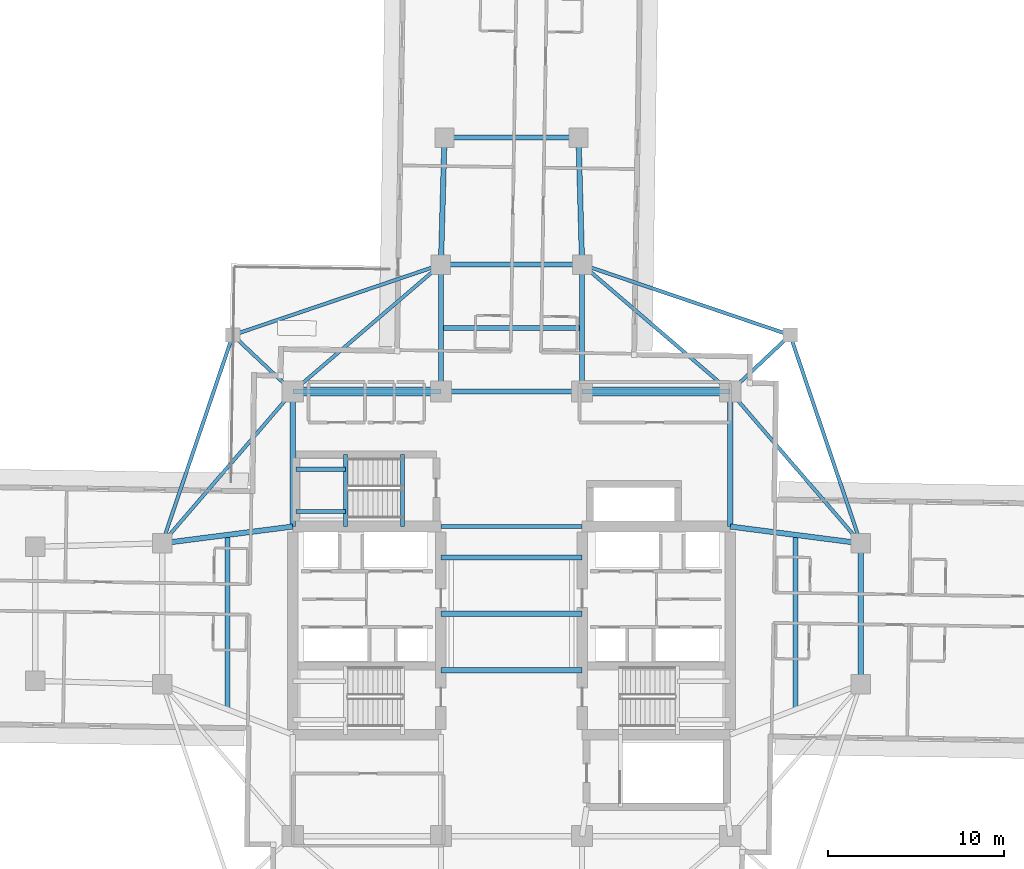
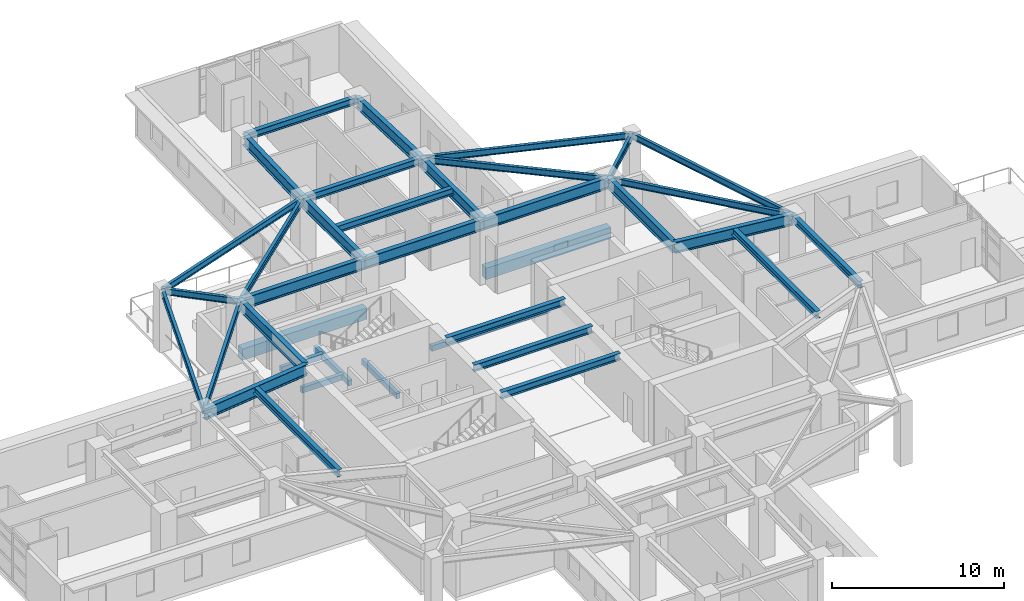
# One storey, part 7 of 22: 37 beams.
"""IFC4 building model written with IfcOpenShell, lengths in metres."""

from ifc_helpers import new_model, si_unit, direction, frame, origin, origin_2d, place, context, subcontext, project, spatial, rectangle, i_section, extrude, material, material_profile, profile_set, type_object, element, save


model = new_model("IFC4")

# Units and contexts
model_context = context("Model", 3, precision=1e-05, world=origin(), true_north=direction((0.0, 1.0)))
body_context = subcontext(model_context, "Body", "Model", "MODEL_VIEW")
ifc_project = project(units=[si_unit("LENGTHUNIT", "METRE"), si_unit("AREAUNIT", "SQUARE_METRE"), si_unit("VOLUMEUNIT", "CUBIC_METRE"), si_unit("PLANEANGLEUNIT", "RADIAN"), si_unit("MASSUNIT", "GRAM", prefix="KILO")], contexts=[model_context])

# Site, building, storey
site_placement = place(None, origin())
site = spatial("IfcSite", under=ifc_project, at=site_placement, CompositionType="ELEMENT")
building_placement = place(site_placement, origin())
building = spatial("IfcBuilding", under=site, at=building_placement, Name="Qingluan Cross Belvedere", CompositionType="ELEMENT")
storey_placement = place(building_placement, frame((0.0, 0.0, 100.199951171875)))
storey = spatial("IfcBuildingStorey", under=building, at=storey_placement, Name="L25", CompositionType="ELEMENT", Elevation=100.199951171875)

# Beams
ifc_material_1 = material(Name="Concrete C45", Category="concrete")
ifc_material_profile_1 = material_profile(ifc_material_1, rectangle(XDim=0.25, YDim=0.39990234375, at=origin_2d()), Name="RC250x400")
ifc_profile_set_1 = profile_set([ifc_material_profile_1], Name="Concrete C45")
beam_type_1 = type_object("IfcBeamType", Name="RC_Lintel_RC250x400", PredefinedType="LINTEL", material=ifc_profile_set_1)
for number, where, z_axis, x_axis, name in (
    (1, (-6.179931640625, 4.949951171875, -0.199951171875), (0.0, 1.0, 0.0), (-1.0, 0.0, 0.0), "Stair ST3 landing beam L25"),
    (2, (-9.409912109375, 4.949951171875, 1.85009765625), (0.0, 1.0, 0.0), (-1.0, 0.0, 0.0), "Stair ST3 beam A L25"),
):
    element("IfcBeam", number, at=place(storey_placement, frame(where, z_axis=z_axis, x_axis=x_axis)), inside=storey, type_object=beam_type_1, Name=name, PredefinedType="LINTEL", context=body_context, shape_type="SweptSolid", body=[
        extrude(rectangle(XDim=0.25, YDim=0.39990234375, at=origin_2d()), origin(), (0.0, 0.0, 1.0), 4.090087890625),
    ])
for number, where, z_axis, x_axis, name in (
    (3, (-12.219970703125, 5.800048828125, 1.85009765625), (1.0, 0.0, 0.0), (0.0, 1.0, 0.0), "Stair ST3 beam B L25"),
    (4, (-12.219970703125, 8.18994140625, 1.85009765625), (1.0, 0.0, 0.0), (0.0, 1.0, 0.0), "Stair ST3 beam C L25"),
):
    element("IfcBeam", number, at=place(storey_placement, frame(where, z_axis=z_axis, x_axis=x_axis)), inside=storey, type_object=beam_type_1, Name=name, PredefinedType="LINTEL", context=body_context, shape_type="SweptSolid", body=[
        extrude(rectangle(XDim=0.25, YDim=0.39990234375, at=origin_2d()), origin(), (0.0, 0.0, 1.0), 2.81005859375),
    ])
beam_1_placement = place(storey_placement, frame((-4.0, 4.949951171875, 2.449951171875), z_axis=(1.0, 0.0, 0.0), x_axis=(0.0, 1.0, 0.0)))
element("IfcBeam", 5, at=beam_1_placement, inside=storey, type_object=beam_type_1, Name="Core coupling lintel beam L25", PredefinedType="LINTEL", context=body_context, shape_type="SweptSolid", body=[
    extrude(rectangle(XDim=0.25, YDim=0.39990234375, at=origin_2d()), origin(), (0.0, 0.0, 1.0), 8.0),
])
ifc_material_2 = material(Name="Concrete C45", Category="concrete")
ifc_material_profile_2 = material_profile(ifc_material_2, rectangle(XDim=0.5, YDim=0.800048828125, at=origin_2d()), Name="RC500x800")
ifc_profile_set_2 = profile_set([ifc_material_profile_2], Name="Concrete C45")
beam_type_2 = type_object("IfcBeamType", Name="RC_Spandrel_RC500x800", PredefinedType="SPANDREL", material=ifc_profile_set_2)
for number, where, z_axis, x_axis, name in (
    (6, (-12.39990234375, 12.60009765625, 0.400146484375), (1.0, 0.0, 0.0), (0.0, 1.0, 0.0), "Perimeter RC spandrel beam L25-NW"),
    (7, (4.0, 12.60009765625, 0.400146484375), (1.0, 0.0, 0.0), (0.0, 1.0, 0.0), "Perimeter RC spandrel beam L25-NE"),
):
    element("IfcBeam", number, at=place(storey_placement, frame(where, z_axis=z_axis, x_axis=x_axis)), inside=storey, type_object=beam_type_2, Name=name, PredefinedType="SPANDREL", context=body_context, shape_type="SweptSolid", body=[
        extrude(rectangle(XDim=0.5, YDim=0.800048828125, at=origin_2d()), origin(), (0.0, 0.0, 1.0), 8.39990234375),
    ])
ifc_material_3 = material(Name="Steel Q420GJB", Category="steel")
ifc_material_profile_3 = material_profile(ifc_material_3, i_section(OverallWidth=0.300048828125, OverallDepth=0.488037109375, WebThickness=0.010986328125, FlangeThickness=0.01806640625, FilletRadius=0.02197265625, at=origin_2d()), Name="HM488x300x11x18")
ifc_profile_set_3 = profile_set([ifc_material_profile_3], Name="Steel Q420GJB")
beam_type_3 = type_object("IfcBeamType", Name="Steel_Beam_HM488x300x11x18", PredefinedType="BEAM", material=ifc_profile_set_3)
for number, where, z_axis, x_axis, name in (
    (8, (-4.0, -3.199951171875, 4.05615234375), (1.0, 0.0, 0.0), (0.0, 1.0, 0.0), "Hall beam L25-CH1"),
    (9, (-4.0, 0.0, 4.05615234375), (1.0, 0.0, 0.0), (0.0, 1.0, 0.0), "Hall beam L25-CH2"),
    (10, (-4.0, 3.199951171875, 4.05615234375), (1.0, 0.0, 0.0), (0.0, 1.0, 0.0), "Hall beam L25-CH3"),
    (11, (19.800048828125, -4.0, 4.05615234375), (0.0, 1.0, 0.0), (-1.0, 0.0, 0.0), "Arm E tie L25"),
):
    element("IfcBeam", number, at=place(storey_placement, frame(where, z_axis=z_axis, x_axis=x_axis)), inside=storey, type_object=beam_type_3, Name=name, PredefinedType="BEAM", context=body_context, shape_type="SweptSolid", body=[
        extrude(i_section(OverallWidth=0.300048828125, OverallDepth=0.488037109375, WebThickness=0.010986328125, FlangeThickness=0.01806640625, FilletRadius=0.02197265625, at=origin_2d()), origin(), (0.0, 0.0, 1.0), 8.0),
    ])
for number, where, z_axis, x_axis, name in (
    (12, (16.10009765625, -5.425048828125, 4.05615234375), (0.0, 1.0, 0.0), (-1.0, 0.0, 0.0), "Arm E beam L25"),
    (13, (-16.10009765625, -5.425048828125, 4.05615234375), (0.0, 1.0, 0.0), (-1.0, 0.0, 0.0), "Arm W beam L25"),
):
    element("IfcBeam", number, at=place(storey_placement, frame(where, z_axis=z_axis, x_axis=x_axis)), inside=storey, type_object=beam_type_3, Name=name, PredefinedType="BEAM", context=body_context, shape_type="SweptSolid", body=[
        extrude(i_section(OverallWidth=0.300048828125, OverallDepth=0.488037109375, WebThickness=0.010986328125, FlangeThickness=0.01806640625, FilletRadius=0.02197265625, at=origin_2d()), origin(), (0.0, 0.0, 1.0), 9.900146484375),
    ])
for number, where, z_axis, x_axis, name in (
    (14, (-4.0, 19.800048828125, 4.05615234375), (1.0, 0.0, 0.0), (0.0, 1.0, 0.0), "Arm N tie L25"),
    (15, (-4.0, 16.199951171875, 4.05615234375), (1.0, 0.0, 0.0), (0.0, 1.0, 0.0), "Arm N beam L25"),
):
    element("IfcBeam", number, at=place(storey_placement, frame(where, z_axis=z_axis, x_axis=x_axis)), inside=storey, type_object=beam_type_3, Name=name, PredefinedType="BEAM", context=body_context, shape_type="SweptSolid", body=[
        extrude(i_section(OverallWidth=0.300048828125, OverallDepth=0.488037109375, WebThickness=0.010986328125, FlangeThickness=0.01806640625, FilletRadius=0.02197265625, at=origin_2d()), origin(), (0.0, 0.0, 1.0), 8.0),
    ])
beam_2_placement = place(storey_placement, frame((-3.800048828125, 27.0, 4.05615234375), z_axis=(1.0, 0.0, 0.0), x_axis=(0.0, 1.0, 0.0)))
element("IfcBeam", 16, at=beam_2_placement, inside=storey, type_object=beam_type_3, Name="Arm N tip transverse beam L25", PredefinedType="BEAM", context=body_context, shape_type="SweptSolid", body=[
    extrude(i_section(OverallWidth=0.300048828125, OverallDepth=0.488037109375, WebThickness=0.010986328125, FlangeThickness=0.01806640625, FilletRadius=0.02197265625, at=origin_2d()), origin(), (0.0, 0.0, 1.0), 7.60009765625),
])
ifc_material_4 = material(Name="Steel Q420GJB", Category="steel")
ifc_material_profile_4 = material_profile(ifc_material_4, i_section(OverallWidth=0.199951171875, OverallDepth=0.449951171875, WebThickness=0.009033203125, FlangeThickness=0.013916015625, FilletRadius=0.01611328125, at=origin_2d()), Name="HN450x200x9x14")
ifc_profile_set_4 = profile_set([ifc_material_profile_4], Name="Steel Q420GJB")
beam_type_4 = type_object("IfcBeamType", Name="Steel_Beam_HN450x200x9x14", PredefinedType="JOIST", material=ifc_profile_set_4)
beam_3_placement = place(storey_placement, frame((12.39990234375, 12.60009765625, 4.074951171875), z_axis=(0.728219948308, 0.685343495546, 0.0), x_axis=(-0.685343495546, 0.728219948308, 0.0)))
element("IfcBeam", 17, at=beam_3_placement, inside=storey, type_object=beam_type_4, Name="Corner beam 1 L25-RNE", PredefinedType="JOIST", context=body_context, shape_type="SweptSolid", body=[
    extrude(i_section(OverallWidth=0.199951171875, OverallDepth=0.449951171875, WebThickness=0.009033203125, FlangeThickness=0.013916015625, FilletRadius=0.01611328125, at=origin_2d()), origin(), (0.0, 0.0, 1.0), 4.669189453125),
])
for number, where, z_axis, x_axis, name in (
    (18, (15.800048828125, 15.800048828125, 4.074951171875), (-0.947066283324, 0.321038089628, 0.0), (-0.321038089628, -0.947066283324, 0.0), "Corner beam 2 L25-RNE"),
    (19, (15.800048828125, 15.800048828125, 4.074951171875), (0.321038089628, -0.947066283324, 0.0), (0.947066283324, 0.321038089628, 0.0), "Corner beam 3 L25-RNE"),
):
    element("IfcBeam", number, at=place(storey_placement, frame(where, z_axis=z_axis, x_axis=x_axis)), inside=storey, type_object=beam_type_4, Name=name, PredefinedType="JOIST", context=body_context, shape_type="SweptSolid", body=[
        extrude(i_section(OverallWidth=0.199951171875, OverallDepth=0.449951171875, WebThickness=0.009033203125, FlangeThickness=0.013916015625, FilletRadius=0.01611328125, at=origin_2d()), origin(), (0.0, 0.0, 1.0), 12.45947265625),
    ])
beam_4_placement = place(storey_placement, frame((12.39990234375, 12.60009765625, 4.074951171875), z_axis=(0.652245077546, -0.75800815221, 0.0), x_axis=(0.75800815221, 0.652245077546, 0.0)))
element("IfcBeam", 20, at=beam_4_placement, inside=storey, type_object=beam_type_4, Name="Corner beam 4 L25-RNE", PredefinedType="JOIST", context=body_context, shape_type="SweptSolid", body=[
    extrude(i_section(OverallWidth=0.199951171875, OverallDepth=0.449951171875, WebThickness=0.009033203125, FlangeThickness=0.013916015625, FilletRadius=0.01611328125, at=origin_2d()), origin(), (0.0, 0.0, 1.0), 11.345703125),
])
beam_5_placement = place(storey_placement, frame((12.39990234375, 12.60009765625, 4.074951171875), z_axis=(-0.759255044656, 0.650793190779, 0.0), x_axis=(-0.650793190779, -0.759255044656, 0.0)))
element("IfcBeam", 21, at=beam_5_placement, inside=storey, type_object=beam_type_4, Name="Corner beam 5 L25-RNE", PredefinedType="JOIST", context=body_context, shape_type="SweptSolid", body=[
    extrude(i_section(OverallWidth=0.199951171875, OverallDepth=0.449951171875, WebThickness=0.009033203125, FlangeThickness=0.013916015625, FilletRadius=0.01611328125, at=origin_2d()), origin(), (0.0, 0.0, 1.0), 11.063232421875),
])
beam_6_placement = place(storey_placement, frame((-12.39990234375, 12.60009765625, 4.074951171875), z_axis=(-0.728219948308, 0.685343495546, 0.0), x_axis=(-0.685343495546, -0.728219948308, 0.0)))
element("IfcBeam", 22, at=beam_6_placement, inside=storey, type_object=beam_type_4, Name="Corner beam 1 L25-RNW", PredefinedType="JOIST", context=body_context, shape_type="SweptSolid", body=[
    extrude(i_section(OverallWidth=0.199951171875, OverallDepth=0.449951171875, WebThickness=0.009033203125, FlangeThickness=0.013916015625, FilletRadius=0.01611328125, at=origin_2d()), origin(), (0.0, 0.0, 1.0), 4.669189453125),
])
for number, where, z_axis, x_axis, name in (
    (23, (-15.800048828125, 15.800048828125, 4.074951171875), (0.947066283324, 0.321038089628, 0.0), (-0.321038089628, 0.947066283324, 0.0), "Corner beam 2 L25-RNW"),
    (24, (-15.800048828125, 15.800048828125, 4.074951171875), (-0.321038089628, -0.947066283324, 0.0), (0.947066283324, -0.321038089628, 0.0), "Corner beam 3 L25-RNW"),
):
    element("IfcBeam", number, at=place(storey_placement, frame(where, z_axis=z_axis, x_axis=x_axis)), inside=storey, type_object=beam_type_4, Name=name, PredefinedType="JOIST", context=body_context, shape_type="SweptSolid", body=[
        extrude(i_section(OverallWidth=0.199951171875, OverallDepth=0.449951171875, WebThickness=0.009033203125, FlangeThickness=0.013916015625, FilletRadius=0.01611328125, at=origin_2d()), origin(), (0.0, 0.0, 1.0), 12.45947265625),
    ])
beam_7_placement = place(storey_placement, frame((-12.39990234375, 12.60009765625, 4.074951171875), z_axis=(-0.652245077546, -0.75800815221, 0.0), x_axis=(0.75800815221, -0.652245077546, 0.0)))
element("IfcBeam", 25, at=beam_7_placement, inside=storey, type_object=beam_type_4, Name="Corner beam 4 L25-RNW", PredefinedType="JOIST", context=body_context, shape_type="SweptSolid", body=[
    extrude(i_section(OverallWidth=0.199951171875, OverallDepth=0.449951171875, WebThickness=0.009033203125, FlangeThickness=0.013916015625, FilletRadius=0.01611328125, at=origin_2d()), origin(), (0.0, 0.0, 1.0), 11.345703125),
])
beam_8_placement = place(storey_placement, frame((-12.39990234375, 12.60009765625, 4.074951171875), z_axis=(0.759255044656, 0.650793190779, 0.0), x_axis=(-0.650793190779, 0.759255044656, 0.0)))
element("IfcBeam", 26, at=beam_8_placement, inside=storey, type_object=beam_type_4, Name="Corner beam 5 L25-RNW", PredefinedType="JOIST", context=body_context, shape_type="SweptSolid", body=[
    extrude(i_section(OverallWidth=0.199951171875, OverallDepth=0.449951171875, WebThickness=0.009033203125, FlangeThickness=0.013916015625, FilletRadius=0.01611328125, at=origin_2d()), origin(), (0.0, 0.0, 1.0), 11.063232421875),
])
ifc_material_5 = material(Name="Steel Q420GJB", Category="steel")
ifc_material_profile_5 = material_profile(ifc_material_5, i_section(OverallWidth=0.300048828125, OverallDepth=0.800048828125, WebThickness=0.015380859375, FlangeThickness=0.028076171875, FilletRadius=0.030029296875, at=origin_2d()), Name="HEB800")
ifc_profile_set_5 = profile_set([ifc_material_profile_5], Name="Steel Q420GJB")
beam_type_5 = type_object("IfcBeamType", Name="Steel_Girder_HEB800", PredefinedType="USERDEFINED", material=ifc_profile_set_5)
beam_9_placement = place(storey_placement, frame((-12.39990234375, 12.60009765625, 3.900146484375), z_axis=(1.0, 0.0, 0.0), x_axis=(0.0, 1.0, 0.0)))
element("IfcBeam", 27, at=beam_9_placement, inside=storey, type_object=beam_type_5, Name="Hub girder L25-HG-N1", ObjectType="GIRDER", PredefinedType="USERDEFINED", context=body_context, shape_type="SweptSolid", body=[
    extrude(i_section(OverallWidth=0.300048828125, OverallDepth=0.800048828125, WebThickness=0.015380859375, FlangeThickness=0.028076171875, FilletRadius=0.030029296875, at=origin_2d()), origin(), (0.0, 0.0, 1.0), 8.39990234375),
])
beam_10_placement = place(storey_placement, frame((-4.0, 12.60009765625, 3.900146484375), z_axis=(1.0, 0.0, 0.0), x_axis=(0.0, 1.0, 0.0)))
element("IfcBeam", 28, at=beam_10_placement, inside=storey, type_object=beam_type_5, Name="Hub girder L25-HG-N2", ObjectType="GIRDER", PredefinedType="USERDEFINED", context=body_context, shape_type="SweptSolid", body=[
    extrude(i_section(OverallWidth=0.300048828125, OverallDepth=0.800048828125, WebThickness=0.015380859375, FlangeThickness=0.028076171875, FilletRadius=0.030029296875, at=origin_2d()), origin(), (0.0, 0.0, 1.0), 8.0),
])
beam_11_placement = place(storey_placement, frame((4.0, 12.60009765625, 3.900146484375), z_axis=(1.0, 0.0, 0.0), x_axis=(0.0, 1.0, 0.0)))
element("IfcBeam", 29, at=beam_11_placement, inside=storey, type_object=beam_type_5, Name="Hub girder L25-HG-N3", ObjectType="GIRDER", PredefinedType="USERDEFINED", context=body_context, shape_type="SweptSolid", body=[
    extrude(i_section(OverallWidth=0.300048828125, OverallDepth=0.800048828125, WebThickness=0.015380859375, FlangeThickness=0.028076171875, FilletRadius=0.030029296875, at=origin_2d()), origin(), (0.0, 0.0, 1.0), 8.39990234375),
])
for number, where, z_axis, x_axis, name in (
    (30, (-12.39990234375, 4.949951171875, 3.900146484375), (0.0, 1.0, 0.0), (-1.0, 0.0, 0.0), "Hub girder L25-HG-W2"),
    (31, (12.39990234375, 4.949951171875, 3.900146484375), (0.0, 1.0, 0.0), (-1.0, 0.0, 0.0), "Hub girder L25-HG-E2"),
):
    element("IfcBeam", number, at=place(storey_placement, frame(where, z_axis=z_axis, x_axis=x_axis)), inside=storey, type_object=beam_type_5, Name=name, ObjectType="GIRDER", PredefinedType="USERDEFINED", context=body_context, shape_type="SweptSolid", body=[
        extrude(i_section(OverallWidth=0.300048828125, OverallDepth=0.800048828125, WebThickness=0.015380859375, FlangeThickness=0.028076171875, FilletRadius=0.030029296875, at=origin_2d()), origin(), (0.0, 0.0, 1.0), 7.650146484375),
    ])
for number, where, z_axis, x_axis, name in (
    (32, (12.39990234375, 4.949951171875, 3.900146484375), (0.991861120628, -0.12732445714, 0.0), (0.12732445714, 0.991861120628, 0.0), "Arm E radial girder B L25"),
    (33, (-12.39990234375, 4.949951171875, 3.900146484375), (-0.991861120628, -0.12732445714, 0.0), (0.12732445714, -0.991861120628, 0.0), "Arm W radial girder B L25"),
):
    element("IfcBeam", number, at=place(storey_placement, frame(where, z_axis=z_axis, x_axis=x_axis)), inside=storey, type_object=beam_type_5, Name=name, ObjectType="GIRDER", PredefinedType="USERDEFINED", context=body_context, shape_type="SweptSolid", body=[
        extrude(i_section(OverallWidth=0.300048828125, OverallDepth=0.800048828125, WebThickness=0.015380859375, FlangeThickness=0.028076171875, FilletRadius=0.030029296875, at=origin_2d()), origin(), (0.0, 0.0, 1.0), 7.4609375),
    ])
for number, where, z_axis, x_axis, name in (
    (34, (-4.0, 12.60009765625, 3.900146484375), (0.0, 1.0, 0.0), (-1.0, 0.0, 0.0), "Arm N radial girder A L25"),
    (35, (4.0, 12.60009765625, 3.900146484375), (0.0, 1.0, 0.0), (-1.0, 0.0, 0.0), "Arm N radial girder B L25"),
):
    element("IfcBeam", number, at=place(storey_placement, frame(where, z_axis=z_axis, x_axis=x_axis)), inside=storey, type_object=beam_type_5, Name=name, ObjectType="GIRDER", PredefinedType="USERDEFINED", context=body_context, shape_type="SweptSolid", body=[
        extrude(i_section(OverallWidth=0.300048828125, OverallDepth=0.800048828125, WebThickness=0.015380859375, FlangeThickness=0.028076171875, FilletRadius=0.030029296875, at=origin_2d()), origin(), (0.0, 0.0, 1.0), 7.199951171875),
    ])
for number, where, z_axis, x_axis, name in (
    (36, (-4.0, 19.800048828125, 3.900146484375), (0.027760481514, 0.999614603568, 0.0), (-0.999614603568, 0.027760481514, 0.0), "Arm N outer radial girder A L25"),
    (37, (4.0, 19.800048828125, 3.900146484375), (-0.027760481514, 0.999614603568, 0.0), (-0.999614603568, -0.027760481514, 0.0), "Arm N outer radial girder B L25"),
):
    element("IfcBeam", number, at=place(storey_placement, frame(where, z_axis=z_axis, x_axis=x_axis)), inside=storey, type_object=beam_type_5, Name=name, ObjectType="GIRDER", PredefinedType="USERDEFINED", context=body_context, shape_type="SweptSolid", body=[
        extrude(i_section(OverallWidth=0.300048828125, OverallDepth=0.800048828125, WebThickness=0.015380859375, FlangeThickness=0.028076171875, FilletRadius=0.030029296875, at=origin_2d()), origin(), (0.0, 0.0, 1.0), 7.20263671875),
    ])

save(model, "model.ifc")
